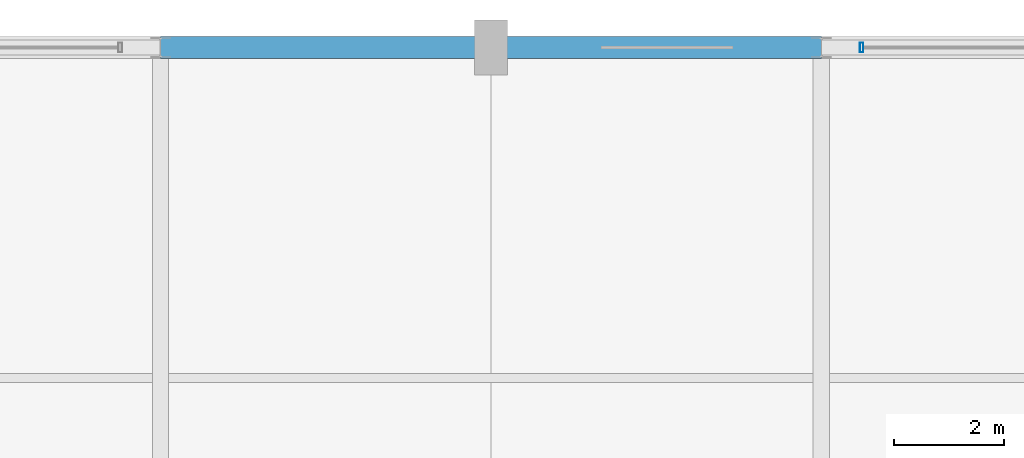
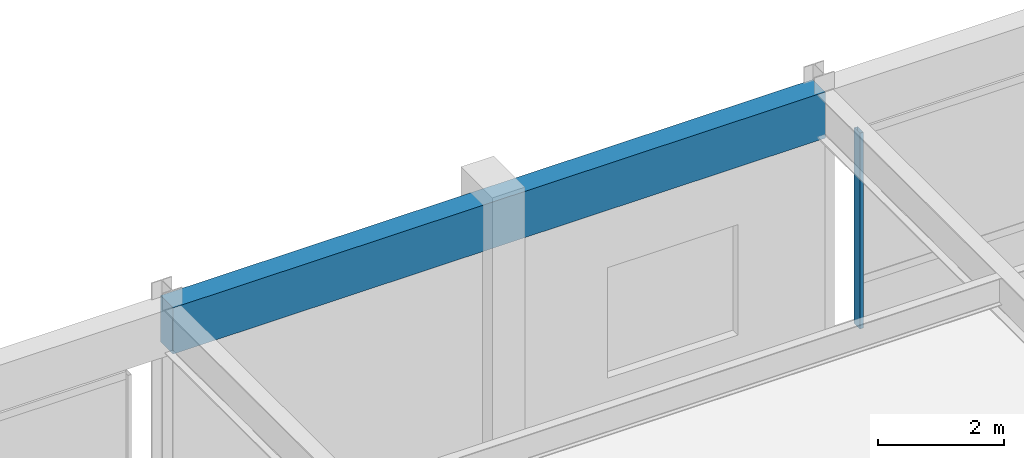
# One storey, part 37 of 100: 1 beam, 1 member, 1 element without a shape of its own.
"""IFC4 building model written with IfcOpenShell, lengths in metres."""

from ifc_helpers import new_model, si_unit, direction, frame, origin, origin_2d, place, context, subcontext, project, spatial, rectangle, hollow_rectangle, extrude, material, material_profile, profile_set, type_object, element, aggregate, save


model = new_model("IFC4")

# Units and contexts
model_context = context("Model", 3, precision=1e-05, world=origin(), true_north=direction((0.0, 1.0)))
body_context = subcontext(model_context, "Body", "Model", "MODEL_VIEW")
ifc_project = project(units=[si_unit("LENGTHUNIT", "METRE"), si_unit("AREAUNIT", "SQUARE_METRE"), si_unit("VOLUMEUNIT", "CUBIC_METRE"), si_unit("PLANEANGLEUNIT", "RADIAN"), si_unit("MASSUNIT", "GRAM", prefix="KILO")], contexts=[model_context])

# Site, building, storey
site_placement = place(None, origin())
site = spatial("IfcSite", under=ifc_project, at=site_placement, CompositionType="ELEMENT")
building_placement = place(site_placement, origin())
building = spatial("IfcBuilding", under=site, at=building_placement, Name="Kaldorvane Square Convention Centre", CompositionType="ELEMENT")
storey_placement = place(building_placement, frame((0.0, 0.0, 18.0)))
storey = spatial("IfcBuildingStorey", under=building, at=storey_placement, Name="L03", CompositionType="ELEMENT", Elevation=18.0)

# Beam
ifc_material_1 = material(Name="Concrete f'c = 42 MPa (Normalweight)", Category="concrete")
ifc_material_profile_1 = material_profile(ifc_material_1, rectangle(XDim=0.399993896484375, YDim=0.899993896484375, at=origin_2d()), Name="RCSP900X400")
ifc_profile_set_1 = profile_set([ifc_material_profile_1], Name="Concrete f'c = 42 MPa (Normalweight)")
beam_type = type_object("IfcBeamType", Name="BM-SP-RC900", PredefinedType="SPANDREL", material=ifc_profile_set_1)
beam_placement = place(storey_placement, frame((114.0, 117.0, 4.626007080078125), z_axis=(1.0, 0.0, 0.0), x_axis=(0.0, 1.0, 0.0)))
element("IfcBeam", 1, at=beam_placement, inside=storey, type_object=beam_type, Name="Perimeter Spandrel (L03)", PredefinedType="SPANDREL", context=body_context, shape_type="SweptSolid", body=[
    extrude(rectangle(XDim=0.399993896484375, YDim=0.899993896484375, at=origin_2d()), origin(), (0.0, 0.0, 1.0), 12.0),
])

# Curtain wall, member
ifc_material_2 = material(Name="Anodized Aluminum and Low-E Insulated Glazing", Category="aluminium")
curtain_wall_type = type_object("IfcCurtainWallType", Name="CW-UNI-P54-09", PredefinedType="USERDEFINED", material=ifc_material_2)
curtain_wall_placement = place(storey_placement, origin())
curtain_wall = element("IfcCurtainWall", 2, at=curtain_wall_placement, inside=storey, type_object=curtain_wall_type, Name="Curtain Wall CW-04 (L03)", ObjectType="UNITISED GLAZING", PredefinedType="USERDEFINED")
ifc_material_profile_2 = material_profile(ifc_material_2, hollow_rectangle(XDim=0.06500244140625, YDim=0.17999267578125, WallThickness=0.0034942626953125, at=origin_2d()), Name="CWM-180X65")
ifc_profile_set_2 = profile_set([ifc_material_profile_2], Name="Anodized Aluminum and Low-E Insulated Glazing")
member_type = type_object("IfcMemberType", Name="CW-MUL-180", PredefinedType="MULLION", material=ifc_profile_set_2)
member_placement = place(storey_placement, frame((126.73249816894531, 117.0, 0.149993896484375), z_axis=(0.0, 0.0, 1.0), x_axis=(-1.0, 0.0, 0.0)))
member = element("IfcMember", 3, at=member_placement, type_object=member_type, Name="CW-04 mullion 4", PredefinedType="MULLION", context=body_context, shape_type="SweptSolid", body=[
    extrude(hollow_rectangle(XDim=0.06500244140625, YDim=0.17999267578125, WallThickness=0.0034942626953125, at=origin_2d()), origin(), (0.0, 0.0, 1.0), 3.8100128173828125),
])
aggregate(curtain_wall, [member])

save(model, "model.ifc")
